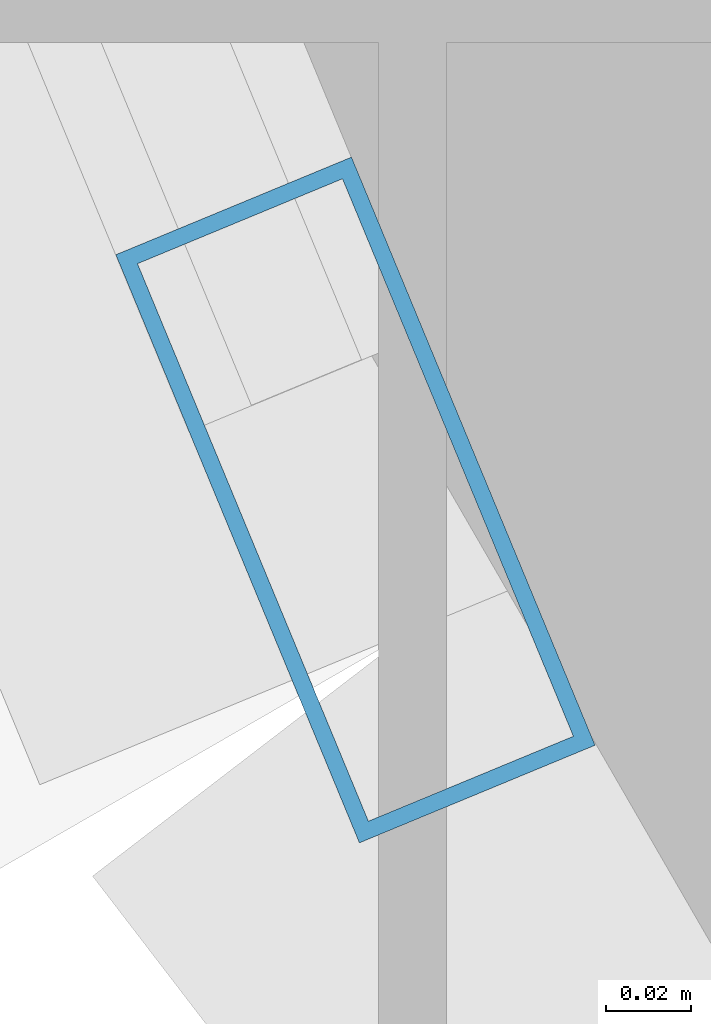
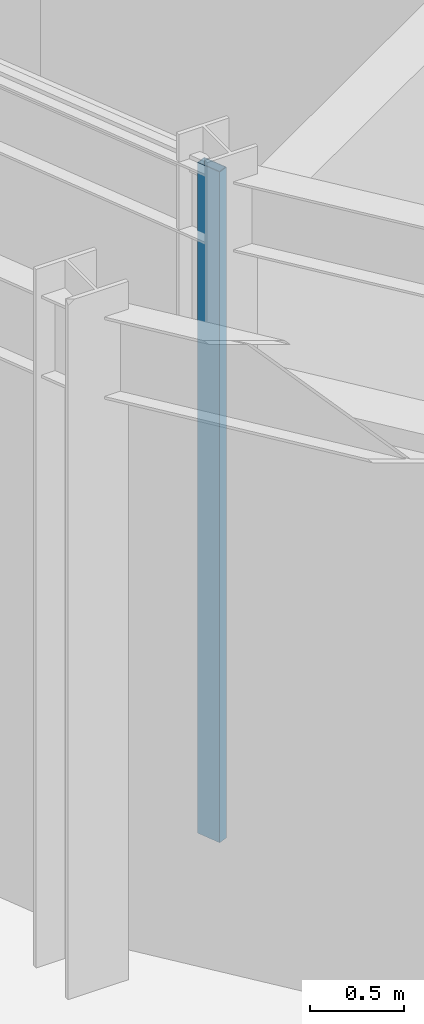
# One storey, part 31 of 157: 1 member, 1 element without a shape of its own.
"""IFC4 building model written with IfcOpenShell, lengths in metres."""

import ifcopenshell
import ifcopenshell.guid

model = None  # the IFC model being written
_history = None  # IfcOwnerHistory: only IFC2X3 demands one
_inside = {}  # id of a spatial element -> (the spatial element, [elements in it])
_under = {}  # id of a project, library or spatial element -> (it, [spatial elements below it])
_declared = {}  # id of a project -> (the project, [libraries it declares])
_typed = {}  # id of a type object -> (the type object, [elements of that type])
_made_of = {}  # id of a material, layer set ... -> (it, [elements and type objects made of it])


def new_model(schema):
    """Start an empty IFC model of exactly this schema.

    Asked for "IFC4X3", IfcOpenShell would pick the latest addendum, in which some entities
    have other attributes; the version numbers below select the first issue.
    IFC2X3 requires an IfcOwnerHistory on every rooted entity: one is made here for all.
    """
    global model, _history
    if schema == "IFC4X3":
        model = ifcopenshell.file(schema_version=(4, 3, 0, 0))
    else:
        model = ifcopenshell.file(schema=schema)
    _inside.clear()
    _under.clear()
    _declared.clear()
    _typed.clear()
    _made_of.clear()
    _history = None
    if model.schema == "IFC2X3":
        org = make("IfcOrganization", Name="unknown")
        user = make(
            "IfcPersonAndOrganization",
            ThePerson=make("IfcPerson", FamilyName="unknown"),
            TheOrganization=org,
        )
        app = make(
            "IfcApplication",
            ApplicationDeveloper=org,
            Version="unknown",
            ApplicationFullName="unknown",
            ApplicationIdentifier="unknown",
        )
        _history = make(
            "IfcOwnerHistory",
            OwningUser=user,
            OwningApplication=app,
            ChangeAction="ADDED",
            CreationDate=0,
        )
    return model


def make(cls, **values):
    """One entity of the class cls with the attributes given. An attribute that is None is left unset."""
    return model.create_entity(
        cls, **{name: value for name, value in values.items() if value is not None}
    )


def rooted(cls, **values):
    """An entity with a GlobalId (a new one), such as an element, a storey or a relation."""
    return make(cls, GlobalId=ifcopenshell.guid.new(), OwnerHistory=_history, **values)


def si_unit(unit_type, name, prefix=None):
    """IfcSIUnit, for example si_unit("LENGTHUNIT", "METRE", prefix="MILLI")."""
    return make("IfcSIUnit", UnitType=unit_type, Prefix=prefix, Name=name)


def assignment(units):
    """IfcUnitAssignment: the units of a project."""
    return None if units is None else make("IfcUnitAssignment", Units=units)


def point(xyz):
    """IfcCartesianPoint."""
    return None if xyz is None else make("IfcCartesianPoint", Coordinates=xyz)


def direction(xyz):
    """IfcDirection."""
    return None if xyz is None else make("IfcDirection", DirectionRatios=xyz)


def frame(location, z_axis=None, x_axis=None):
    """IfcAxis2Placement3D, a coordinate frame: its origin and axes. An axis left out is left unset."""
    return make(
        "IfcAxis2Placement3D",
        Location=point(location),
        Axis=direction(z_axis),
        RefDirection=direction(x_axis),
    )


def frame_2d(location, x_axis=None):
    """IfcAxis2Placement2D, a coordinate frame in the plane: its origin and x axis."""
    return make(
        "IfcAxis2Placement2D", Location=point(location), RefDirection=direction(x_axis)
    )


def origin():
    """The frame at (0, 0, 0) with its axes left unset."""
    return frame((0.0, 0.0, 0.0))


def origin_2d():
    """The frame at (0, 0) in the plane with its x axis left unset."""
    return frame_2d((0.0, 0.0))


def place(relative_to, where):
    """IfcLocalPlacement: puts the frame where relative to a parent placement (None: the world)."""
    return make(
        "IfcLocalPlacement", PlacementRelTo=relative_to, RelativePlacement=where
    )


def context(
    kind, dimensions, precision=None, world=None, true_north=None, identifier=None
):
    """IfcGeometricRepresentationContext, for example the 3D "Model" context."""
    return make(
        "IfcGeometricRepresentationContext",
        ContextIdentifier=identifier,
        ContextType=kind,
        CoordinateSpaceDimension=dimensions,
        Precision=precision,
        WorldCoordinateSystem=world,
        TrueNorth=true_north,
    )


def subcontext(parent, identifier, kind, view, scale=None):
    """IfcGeometricRepresentationSubContext, for example "Body" below "Model"."""
    return make(
        "IfcGeometricRepresentationSubContext",
        ContextIdentifier=identifier,
        ContextType=kind,
        ParentContext=parent,
        TargetScale=scale,
        TargetView=view,
    )


def project(units=None, contexts=None):
    """IfcProject with its units and contexts."""
    return rooted(
        "IfcProject",
        Name="project",
        RepresentationContexts=contexts,
        UnitsInContext=assignment(units),
    )


def spatial(cls, under=None, at=None, **own):
    """A site, building, storey or space (cls), placed at a placement, below another one or the project."""
    s = rooted(cls, ObjectPlacement=at, **own)
    if under is not None:
        _under.setdefault(under.id(), (under, []))[1].append(s)
    return s


def profile(cls, at=None, kind="AREA", **sizes):
    """A parametric profile (cls). Its sizes go by their IFC names, for example OverallWidth=200.0."""
    return make(cls, ProfileType=kind, Position=at, **sizes)


def hollow_rectangle(**sizes):
    """IfcRectangleHollowProfileDef."""
    return profile("IfcRectangleHollowProfileDef", **sizes)


def extrude(swept, where, along, depth):
    """IfcExtrudedAreaSolid: the profile swept, set in the frame where, extruded along a direction by depth."""
    return make(
        "IfcExtrudedAreaSolid",
        SweptArea=swept,
        Position=where,
        ExtrudedDirection=direction(along),
        Depth=depth,
    )


def shape(context_of_items, identifier, shape_type, items):
    """IfcShapeRepresentation: the items that make up one representation, for example the "Body"."""
    return make(
        "IfcShapeRepresentation",
        ContextOfItems=context_of_items,
        RepresentationIdentifier=identifier,
        RepresentationType=shape_type,
        Items=items,
    )


def material(Name=None, Category=None):
    """IfcMaterial."""
    return make("IfcMaterial", Name=Name, Category=Category)


def material_profile(
    of_material, cross_section, Name=None, Category=None, Priority=None
):
    """IfcMaterialProfile: a cross section and its material."""
    return make(
        "IfcMaterialProfile",
        Name=Name,
        Material=of_material,
        Profile=cross_section,
        Priority=Priority,
        Category=Category,
    )


def profile_set(profiles, Name=None, composite=None):
    """IfcMaterialProfileSet."""
    return make(
        "IfcMaterialProfileSet",
        Name=Name,
        MaterialProfiles=profiles,
        CompositeProfile=composite,
    )


def made_of(thing, what):
    """Note that an element or type object is made of a material, layer set ...; save() writes the relation."""
    if what is not None:
        _made_of.setdefault(what.id(), (what, []))[1].append(thing)
    return thing


def type_object(cls, material=None, **own):
    """A type object (cls), such as IfcWallType, which elements share."""
    return made_of(rooted(cls, **own), material)


def element(
    cls,
    number,
    at=None,
    inside=None,
    cuts=None,
    type_object=None,
    material=None,
    context=None,
    identifier="Body",
    shape_type=None,
    held_by="IfcProductDefinitionShape",
    body=None,
    shapes=None,
    **own,
):
    """One element of the class cls, such as IfcWall. Its Tag is "e" and its number.

    at: its placement. inside: the storey or other place that contains it. cuts: it is an
    opening in that element (IfcRelVoidsElement). A single representation is given by context,
    identifier, shape_type and body (its items); several are given by shapes. held_by: the class
    of the entity that holds the representations. save() writes the other relations.
    """
    e = rooted(cls, Tag="e%d" % number, ObjectPlacement=at, **own)
    if body is not None:
        shapes = [shape(context, identifier, shape_type, body)]
    if shapes is not None:
        e.Representation = make(held_by, Representations=shapes)
    if inside is not None:
        _inside.setdefault(inside.id(), (inside, []))[1].append(e)
    if cuts is not None:
        rooted(
            "IfcRelVoidsElement", RelatingBuildingElement=cuts, RelatedOpeningElement=e
        )
    if type_object is not None:
        _typed.setdefault(type_object.id(), (type_object, []))[1].append(e)
    return made_of(e, material)


def aggregate(whole, parts):
    """IfcRelAggregates: a whole, such as a stair, and the parts it consists of."""
    return rooted("IfcRelAggregates", RelatingObject=whole, RelatedObjects=parts)


def save(model, path):
    """Write the relations noted so far, then the file.

    IfcRelAggregates (storeys below a building ...), IfcRelContainedInSpatialStructure (elements
    in a storey), IfcRelDefinesByType, IfcRelAssociatesMaterial and IfcRelDeclares: one each for
    every whole, place, type object, material and project.
    """
    for whole, parts in _under.values():
        aggregate(whole, parts)
    for where, things in _inside.values():
        rooted(
            "IfcRelContainedInSpatialStructure",
            RelatedElements=things,
            RelatingStructure=where,
        )
    for kind, things in _typed.values():
        rooted("IfcRelDefinesByType", RelatedObjects=things, RelatingType=kind)
    for what, things in _made_of.values():
        rooted("IfcRelAssociatesMaterial", RelatedObjects=things, RelatingMaterial=what)
    for by, libraries in _declared.values():
        rooted("IfcRelDeclares", RelatingContext=by, RelatedDefinitions=libraries)
    model.write(path)


model = new_model("IFC4")

# Units and contexts
model_context = context("Model", 3, precision=1e-05, world=origin(), true_north=direction((0.0, 1.0)))
body_context = subcontext(model_context, "Body", "Model", "MODEL_VIEW")
ifc_project = project(units=[si_unit("LENGTHUNIT", "METRE"), si_unit("AREAUNIT", "SQUARE_METRE"), si_unit("VOLUMEUNIT", "CUBIC_METRE"), si_unit("PLANEANGLEUNIT", "RADIAN"), si_unit("MASSUNIT", "GRAM", prefix="KILO")], contexts=[model_context])

# Site, building, storey
site_placement = place(None, origin())
site = spatial("IfcSite", under=ifc_project, at=site_placement, CompositionType="ELEMENT")
building_placement = place(site_placement, origin())
building = spatial("IfcBuilding", under=site, at=building_placement, Name="Almandine Court Research Institute", CompositionType="ELEMENT")
storey_placement = place(building_placement, frame((0.0, 0.0, 5.25)))
storey = spatial("IfcBuildingStorey", under=building, at=storey_placement, Name="L01", CompositionType="ELEMENT", Elevation=5.25)

# Curtain wall, member
ifc_material_1 = material(Name="Unitised Curtain Wall Framing and Solar Glazing", Category="glass")
curtain_wall_type = type_object("IfcCurtainWallType", Name="CW-CWG-24", PredefinedType="USERDEFINED", material=ifc_material_1)
curtain_wall_placement = place(storey_placement, origin())
curtain_wall = element("IfcCurtainWall", 1, at=curtain_wall_placement, inside=storey, type_object=curtain_wall_type, Name="L01 Interaction Atrium Perimeter Curtain Wall 13", ObjectType="UNITISED GLAZING", PredefinedType="USERDEFINED")
ifc_material_2 = material(Name="Anodised Aluminium AW-6063-T6", Category="aluminium")
ifc_material_profile = material_profile(ifc_material_2, hollow_rectangle(XDim=0.06005859375, YDim=0.14990234375, WallThickness=0.00390625, at=origin_2d()), Name="ALU RHS 60x150x4")
ifc_profile_set = profile_set([ifc_material_profile], Name="Anodised Aluminium AW-6063-T6")
member_type = type_object("IfcMemberType", Name="CWMul-60x150", PredefinedType="MULLION", material=ifc_profile_set)
member_placement = place(storey_placement, frame((54.380615234375, 37.205810546875, 0.0), z_axis=(0.0, 0.0, 1.0), x_axis=(-0.923900189297, -0.382633558665, 0.0)))
member = element("IfcMember", 2, at=member_placement, type_object=member_type, Name="CWG-24 mullion 1", PredefinedType="MULLION", context=body_context, shape_type="SweptSolid", body=[
    extrude(hollow_rectangle(XDim=0.06005859375, YDim=0.14990234375, WallThickness=0.00390625, at=origin_2d()), origin(), (0.0, 0.0, 1.0), 4.3701171875),
])
aggregate(curtain_wall, [member])

save(model, "model.ifc")
